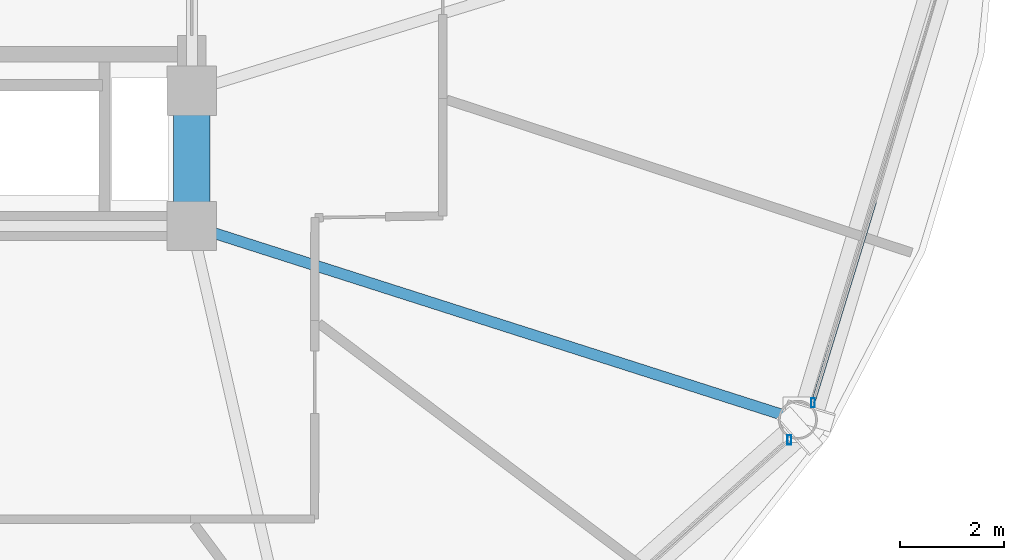
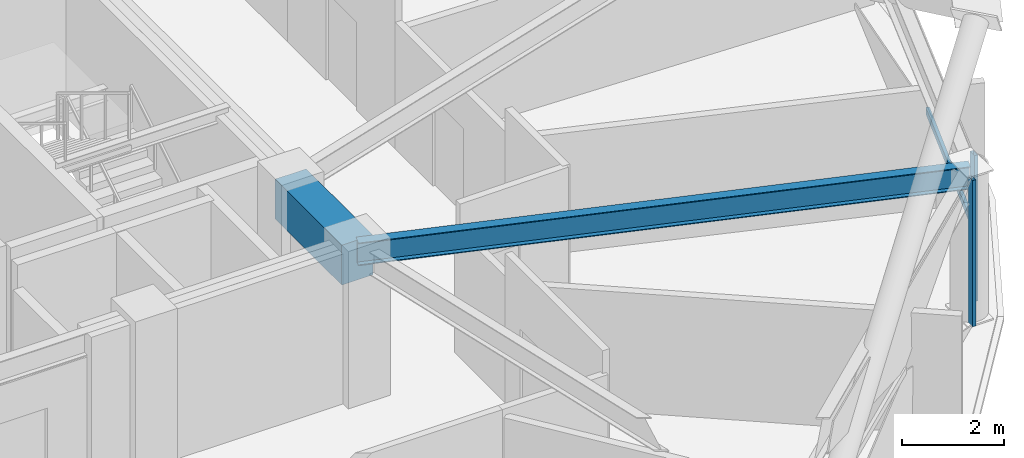
# One storey, part 10 of 29: 3 members, 2 beams, 2 elements without a shape of their own.
"""IFC4 building model written with IfcOpenShell, lengths in metres."""

from ifc_helpers import new_model, si_unit, direction, frame, origin, origin_2d, place, context, subcontext, project, spatial, rectangle, hollow_rectangle, i_section, extrude, material, layer, layer_set, material_profile, profile_set, type_object, element, aggregate, save


model = new_model("IFC4")

# Units and contexts
model_context = context("Model", 3, precision=1e-05, world=origin(), true_north=direction((0.0, 1.0)))
body_context = subcontext(model_context, "Body", "Model", "MODEL_VIEW")
ifc_project = project(units=[si_unit("LENGTHUNIT", "METRE"), si_unit("AREAUNIT", "SQUARE_METRE"), si_unit("VOLUMEUNIT", "CUBIC_METRE"), si_unit("PLANEANGLEUNIT", "RADIAN"), si_unit("MASSUNIT", "GRAM", prefix="KILO")], contexts=[model_context])

# Site, building, storey
site_placement = place(None, origin())
site = spatial("IfcSite", under=ifc_project, at=site_placement, CompositionType="ELEMENT")
building_placement = place(site_placement, origin())
building = spatial("IfcBuilding", under=site, at=building_placement, Name="Vantalir Tower", CompositionType="ELEMENT")
storey_placement = place(building_placement, frame((0.0, 0.0, 164.699951171875)))
storey = spatial("IfcBuildingStorey", under=building, at=storey_placement, Name="L41", CompositionType="ELEMENT", Elevation=164.699951171875)

# Beams
ifc_material_1 = material(Name="Concrete C60/75", Category="concrete")
ifc_material_profile_1 = material_profile(ifc_material_1, rectangle(XDim=0.699951171875, YDim=0.949951171875, at=origin_2d()), Name="Concrete C60/75")
ifc_profile_set_1 = profile_set([ifc_material_profile_1], Name="Concrete C60/75")
beam_type_1 = type_object("IfcBeamType", Name="BM-CB-700x950", PredefinedType="USERDEFINED", material=ifc_profile_set_1)
beam_1_placement = place(storey_placement, frame((41.10009765625, 17.800048828125, 3.094970703125), z_axis=(0.0, 1.0, 0.0), x_axis=(-1.0, 0.0, 0.0)))
element("IfcBeam", 1, at=beam_1_placement, inside=storey, type_object=beam_type_1, Name="L41 Core Coupling Girder 05", ObjectType="GIRDER", PredefinedType="USERDEFINED", context=body_context, shape_type="SweptSolid", body=[
    extrude(rectangle(XDim=0.699951171875, YDim=0.949951171875, at=origin_2d()), origin(), (0.0, 0.0, 1.0), 2.599853515625),
])
ifc_material_2 = material(Name="Steel S355", Category="steel")
ifc_material_profile_2 = material_profile(ifc_material_2, i_section(OverallWidth=0.2109375, OverallDepth=0.5390625, WebThickness=0.01171875, FlangeThickness=0.018798828125, at=origin_2d()), Name="Steel S355")
ifc_profile_set_2 = profile_set([ifc_material_profile_2], Name="Steel S355")
beam_type_2 = type_object("IfcBeamType", Name="BM-RB-533x210", PredefinedType="BEAM", material=ifc_profile_set_2)
beam_2_placement = place(storey_placement, frame((52.7490234375, 14.075927734375, 3.301025390625), z_axis=(-0.952508018869, 0.30451350379, 0.0), x_axis=(-0.30451350379, -0.952508018869, 0.0)))
element("IfcBeam", 2, at=beam_2_placement, inside=storey, type_object=beam_type_2, Name="L41 Radial Floor Beam 12", PredefinedType="BEAM", context=body_context, shape_type="SweptSolid", body=[
    extrude(i_section(OverallWidth=0.2109375, OverallDepth=0.5390625, WebThickness=0.01171875, FlangeThickness=0.018798828125, at=origin_2d()), origin(), (0.0, 0.0, 1.0), 12.229736328125),
])

# Curtain wall, member
ifc_material_3 = material(Name="Champagne-silver PVDF aluminium and double-silver Low-E glass", Category="aluminium")
ifc_layer = layer(ifc_material_3, 0.199951171875)
ifc_layer_set = layer_set([ifc_layer], Name="Champagne-silver PVDF aluminium and double-silver Low-E glass")
curtain_wall_type = type_object("IfcCurtainWallType", Name="CW-DIAMOND-Z2", PredefinedType="USERDEFINED", material=ifc_layer_set)
curtain_wall_1_placement = place(storey_placement, origin())
curtain_wall_1 = element("IfcCurtainWall", 3, at=curtain_wall_1_placement, inside=storey, type_object=curtain_wall_type, Name="L41 Quilted Pyramid-Diamond Curtain Wall S11", ObjectType="UNITISED CURTAIN WALL", PredefinedType="USERDEFINED")
ifc_material_4 = material(Name="Champagne-silver PVDF aluminium 6063-T6", Category="aluminium")
ifc_material_profile_3 = material_profile(ifc_material_4, hollow_rectangle(XDim=0.074951171875, YDim=0.179931640625, WallThickness=0.00390625, at=origin_2d()), Name="Champagne-silver PVDF aluminium 6063-T6")
ifc_profile_set_3 = profile_set([ifc_material_profile_3], Name="Champagne-silver PVDF aluminium 6063-T6")
member_type_1 = type_object("IfcMemberType", Name="CWM-180x75", PredefinedType="MULLION", material=ifc_profile_set_3)
member_1_placement = place(storey_placement, frame((52.5849609375, 13.68798828125, 0.045166015625), z_axis=(0.0, 0.0, 1.0), x_axis=(1.0, 0.0, 0.0)))
member_1 = element("IfcMember", 4, at=member_1_placement, type_object=member_type_1, Name="CW-L41-S11 Mullion 2", PredefinedType="MULLION", context=body_context, shape_type="SweptSolid", body=[
    extrude(hollow_rectangle(XDim=0.074951171875, YDim=0.179931640625, WallThickness=0.00390625, at=origin_2d()), origin(), (0.0, 0.0, 1.0), 3.47998046875),
])
aggregate(curtain_wall_1, [member_1])

# Curtain wall, members
curtain_wall_2_placement = place(storey_placement, origin())
curtain_wall_2 = element("IfcCurtainWall", 5, at=curtain_wall_2_placement, inside=storey, type_object=curtain_wall_type, Name="L41 Quilted Pyramid-Diamond Curtain Wall S12", ObjectType="UNITISED CURTAIN WALL", PredefinedType="USERDEFINED")
member_2_placement = place(storey_placement, frame((53.0400390625, 14.402099609375, 0.045166015625), z_axis=(0.0, 0.0, 1.0), x_axis=(1.0, 0.0, 0.0)))
member_2 = element("IfcMember", 6, at=member_2_placement, type_object=member_type_1, Name="CW-L41-S12 Mullion 1", PredefinedType="MULLION", context=body_context, shape_type="SweptSolid", body=[
    extrude(hollow_rectangle(XDim=0.074951171875, YDim=0.179931640625, WallThickness=0.00390625, at=origin_2d()), origin(), (0.0, 0.0, 1.0), 3.47998046875),
])
ifc_material_profile_4 = material_profile(ifc_material_4, hollow_rectangle(XDim=0.074951171875, YDim=0.159912109375, WallThickness=0.00390625, at=origin_2d()), Name="Champagne-silver PVDF aluminium 6063-T6")
ifc_profile_set_4 = profile_set([ifc_material_profile_4], Name="Champagne-silver PVDF aluminium 6063-T6")
member_type_2 = type_object("IfcMemberType", Name="CWT-160x75", PredefinedType="USERDEFINED", material=ifc_profile_set_4)
member_3_placement = place(storey_placement, frame((53.0400390625, 14.402099609375, 1.78515625), z_axis=(0.293431596658, 0.955980072011, 0.0), x_axis=(-0.955980072011, 0.293431596658, 0.0)))
member_3 = element("IfcMember", 7, at=member_3_placement, type_object=member_type_2, Name="CW-L41-S12 Pyramid Fold Ridge Transom", ObjectType="TRANSOM", PredefinedType="USERDEFINED", context=body_context, shape_type="SweptSolid", body=[
    extrude(hollow_rectangle(XDim=0.074951171875, YDim=0.159912109375, WallThickness=0.00390625, at=origin_2d()), origin(), (0.0, 0.0, 1.0), 4.03857421875),
])
aggregate(curtain_wall_2, [member_2, member_3])

save(model, "model.ifc")
